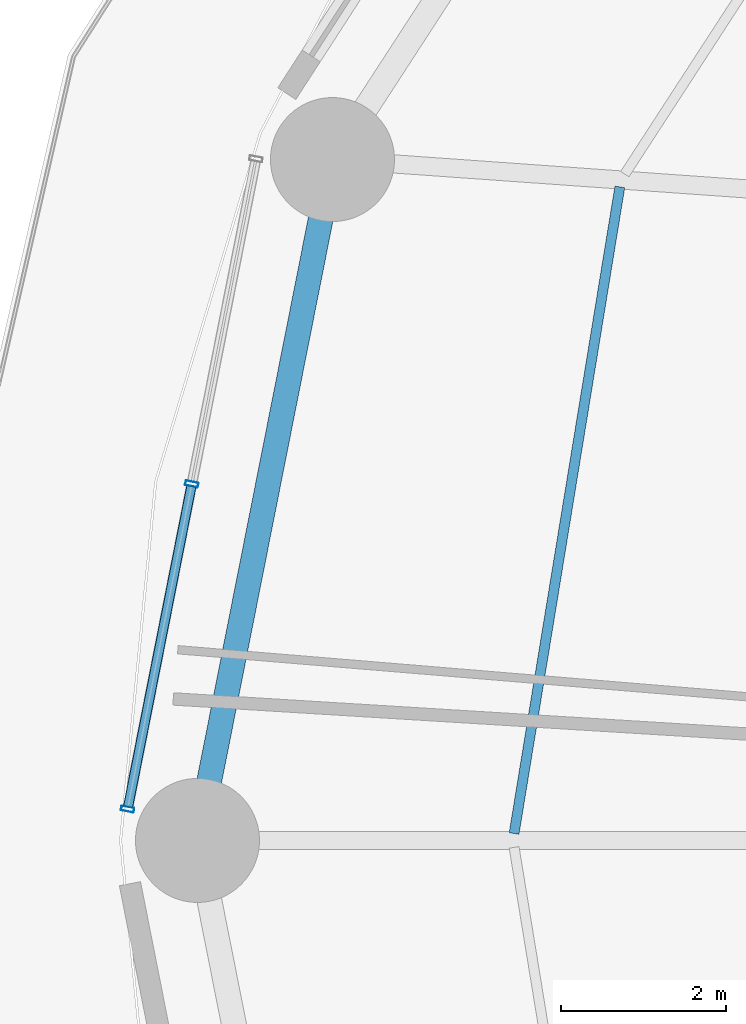
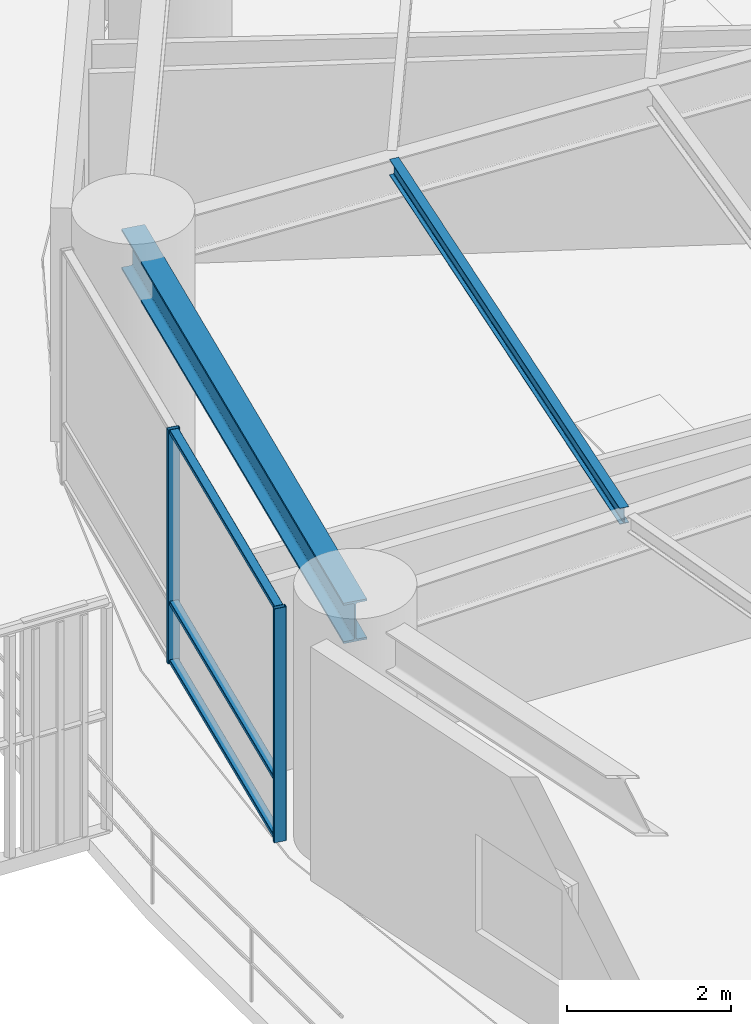
# One storey, part 6 of 32: 5 members, 2 beams, 1 element without a shape of its own.
"""IFC4 building model written with IfcOpenShell, lengths in metres."""

from ifc_helpers import new_model, si_unit, direction, frame, origin, origin_2d, place, context, subcontext, project, spatial, hollow_rectangle, i_section, extrude, material, layer, layer_set, material_profile, profile_set, type_object, element, aggregate, save


model = new_model("IFC4")

# Units and contexts
model_context = context("Model", 3, precision=1e-05, world=origin(), true_north=direction((0.0, 1.0)))
body_context = subcontext(model_context, "Body", "Model", "MODEL_VIEW")
ifc_project = project(units=[si_unit("LENGTHUNIT", "METRE"), si_unit("AREAUNIT", "SQUARE_METRE"), si_unit("VOLUMEUNIT", "CUBIC_METRE"), si_unit("PLANEANGLEUNIT", "RADIAN"), si_unit("MASSUNIT", "GRAM", prefix="KILO")], contexts=[model_context])

# Site, building, storey
site_placement = place(None, origin())
site = spatial("IfcSite", under=ifc_project, at=site_placement, CompositionType="ELEMENT")
building_placement = place(site_placement, origin())
building = spatial("IfcBuilding", under=site, at=building_placement, Name="Kelanora Arch Commons", CompositionType="ELEMENT")
storey_placement = place(building_placement, frame((0.0, 0.0, 60.0)))
storey = spatial("IfcBuildingStorey", under=building, at=storey_placement, Name="L15", CompositionType="ELEMENT", Elevation=60.0)

# Beams
ifc_material_1 = material(Name="Steel S355", Category="steel")
ifc_material_profile_1 = material_profile(ifc_material_1, i_section(OverallWidth=0.1201171875, OverallDepth=0.239990234375, WebThickness=0.006103515625, FlangeThickness=0.009765625, FilletRadius=0.014892578125, at=origin_2d()), Name="IPE240")
ifc_profile_set_1 = profile_set([ifc_material_profile_1], Name="Steel S355")
beam_type_1 = type_object("IfcBeamType", Name="BM-JST-02", PredefinedType="JOIST", material=ifc_profile_set_1)
beam_1_placement = place(storey_placement, frame((52.02880859375, 65.90478515625, 3.3701171875), z_axis=(-0.161400737199, -0.986888951216, 0.0), x_axis=(0.986888951216, -0.161400737199, 0.0)))
element("IfcBeam", 1, at=beam_1_placement, inside=storey, type_object=beam_type_1, Name="Secondary Chord Joist BJC-16 L15", PredefinedType="JOIST", context=body_context, shape_type="SweptSolid", body=[
    extrude(i_section(OverallWidth=0.1201171875, OverallDepth=0.239990234375, WebThickness=0.006103515625, FlangeThickness=0.009765625, FilletRadius=0.014892578125, at=origin_2d()), origin(), (0.0, 0.0, 1.0), 7.9248046875),
])
ifc_material_profile_2 = material_profile(ifc_material_1, i_section(OverallWidth=0.300048828125, OverallDepth=0.60009765625, WebThickness=0.015380859375, FlangeThickness=0.030029296875, FilletRadius=0.027099609375, at=origin_2d()), Name="HEB600")
ifc_profile_set_2 = profile_set([ifc_material_profile_2], Name="Steel S355")
beam_type_2 = type_object("IfcBeamType", Name="BM-SPN-Z1", PredefinedType="SPANDREL", material=ifc_profile_set_2)
beam_2_placement = place(storey_placement, frame((48.552978515625, 66.23583984375, 3.18994140625), z_axis=(-0.194499827256, -0.980902552345, 0.0), x_axis=(0.980902552345, -0.194499827256, 0.0)))
element("IfcBeam", 2, at=beam_2_placement, inside=storey, type_object=beam_type_2, Name="Perimeter Spandrel Beam BS-16 L15", PredefinedType="SPANDREL", context=body_context, shape_type="SweptSolid", body=[
    extrude(i_section(OverallWidth=0.300048828125, OverallDepth=0.60009765625, WebThickness=0.015380859375, FlangeThickness=0.030029296875, FilletRadius=0.027099609375, at=origin_2d()), origin(), (0.0, 0.0, 1.0), 8.396240234375),
])

# Curtain wall, members
ifc_material_2 = material(Name="Terracotta ceramic-fritted low-E glass and aluminium", Category="masonry")
ifc_layer = layer(ifc_material_2, 0.159912109375)
ifc_layer_set = layer_set([ifc_layer], Name="Terracotta ceramic-fritted low-E glass and aluminium")
curtain_wall_type = type_object("IfcCurtainWallType", Name="CW-SYS-01", PredefinedType="NOTDEFINED", material=ifc_layer_set)
curtain_wall_placement = place(storey_placement, origin())
curtain_wall = element("IfcCurtainWall", 3, at=curtain_wall_placement, inside=storey, type_object=curtain_wall_type, Name="Unitised Curtain Wall L15-B08", PredefinedType="NOTDEFINED")
ifc_material_3 = material(Name="Powder-coated aluminium terracotta", Category="masonry")
ifc_material_profile_3 = material_profile(ifc_material_3, hollow_rectangle(XDim=0.159912109375, YDim=0.06005859375, WallThickness=0.0048828125, InnerFilletRadius=0.0048828125, OuterFilletRadius=0.010009765625, at=origin_2d()), Name="CWM160x60")
ifc_profile_set_3 = profile_set([ifc_material_profile_3], Name="Powder-coated aluminium terracotta")
member_type_1 = type_object("IfcMemberType", Name="CWM-STD", PredefinedType="MULLION", material=ifc_profile_set_3)
member_1_placement = place(storey_placement, frame((46.8515625, 62.3115234375, 0.0), z_axis=(0.0, 0.0, 1.0), x_axis=(0.981052110579, -0.193744048498, 0.0)))
member_1 = element("IfcMember", 4, at=member_1_placement, type_object=member_type_1, Name="CW-01 mullion 2", PredefinedType="MULLION", context=body_context, shape_type="SweptSolid", body=[
    extrude(hollow_rectangle(XDim=0.159912109375, YDim=0.06005859375, WallThickness=0.0048828125, InnerFilletRadius=0.0048828125, OuterFilletRadius=0.010009765625, at=origin_2d()), origin(), (0.0, 0.0, 1.0), 3.47509765625),
])
member_2_placement = place(storey_placement, frame((46.074951171875, 58.379150390625, 0.0), z_axis=(0.0, 0.0, 1.0), x_axis=(0.981052110579, -0.193744048498, 0.0)))
member_2 = element("IfcMember", 5, at=member_2_placement, type_object=member_type_1, Name="CW-01 mullion 3", PredefinedType="MULLION", context=body_context, shape_type="SweptSolid", body=[
    extrude(hollow_rectangle(XDim=0.159912109375, YDim=0.06005859375, WallThickness=0.0048828125, InnerFilletRadius=0.0048828125, OuterFilletRadius=0.010009765625, at=origin_2d()), origin(), (0.0, 0.0, 1.0), 3.47509765625),
])
ifc_material_profile_4 = material_profile(ifc_material_3, hollow_rectangle(XDim=0.1201171875, YDim=0.06005859375, WallThickness=0.0048828125, InnerFilletRadius=0.0048828125, OuterFilletRadius=0.010009765625, at=origin_2d()), Name="CWT120x60")
ifc_profile_set_4 = profile_set([ifc_material_profile_4], Name="Powder-coated aluminium terracotta")
member_type_2 = type_object("IfcMemberType", Name="CWT-STD", PredefinedType="USERDEFINED", material=ifc_profile_set_4)
member_3_placement = place(storey_placement, frame((46.845703125, 62.281982421875, 0.030029296875), z_axis=(-0.193725436624, -0.98105578598, 0.0), x_axis=(0.98105578598, -0.193725436624, 0.0)))
member_3 = element("IfcMember", 6, at=member_3_placement, type_object=member_type_2, Name="CW-01 transom 2.1", ObjectType="TRANSOM", PredefinedType="USERDEFINED", context=body_context, shape_type="SweptSolid", body=[
    extrude(hollow_rectangle(XDim=0.1201171875, YDim=0.06005859375, WallThickness=0.0048828125, InnerFilletRadius=0.0048828125, OuterFilletRadius=0.010009765625, at=origin_2d()), origin(), (0.0, 0.0, 1.0), 3.9482421875),
])
member_4_placement = place(storey_placement, frame((46.845703125, 62.281982421875, 0.89990234375), z_axis=(-0.193725436624, -0.98105578598, 0.0), x_axis=(0.98105578598, -0.193725436624, 0.0)))
member_4 = element("IfcMember", 7, at=member_4_placement, type_object=member_type_2, Name="CW-01 transom 2.2", ObjectType="TRANSOM", PredefinedType="USERDEFINED", context=body_context, shape_type="SweptSolid", body=[
    extrude(hollow_rectangle(XDim=0.1201171875, YDim=0.06005859375, WallThickness=0.0048828125, InnerFilletRadius=0.0048828125, OuterFilletRadius=0.010009765625, at=origin_2d()), origin(), (0.0, 0.0, 1.0), 3.9482421875),
])
member_5_placement = place(storey_placement, frame((46.845703125, 62.281982421875, 3.445068359375), z_axis=(-0.193725436624, -0.98105578598, 0.0), x_axis=(0.98105578598, -0.193725436624, 0.0)))
member_5 = element("IfcMember", 8, at=member_5_placement, type_object=member_type_2, Name="CW-01 transom 2.3", ObjectType="TRANSOM", PredefinedType="USERDEFINED", context=body_context, shape_type="SweptSolid", body=[
    extrude(hollow_rectangle(XDim=0.1201171875, YDim=0.06005859375, WallThickness=0.0048828125, InnerFilletRadius=0.0048828125, OuterFilletRadius=0.010009765625, at=origin_2d()), origin(), (0.0, 0.0, 1.0), 3.9482421875),
])
aggregate(curtain_wall, [member_1, member_2, member_3, member_4, member_5])

save(model, "model.ifc")
